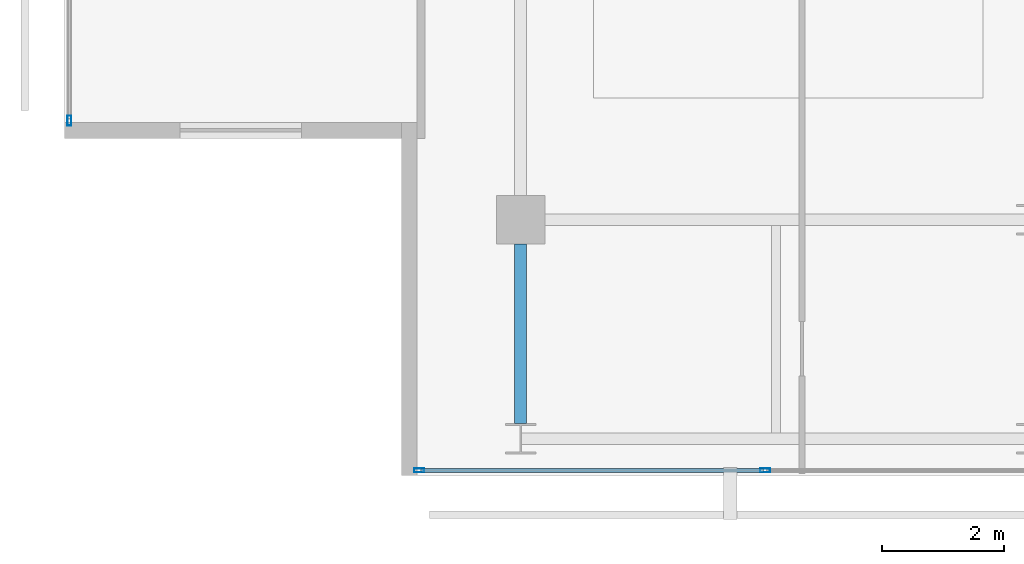
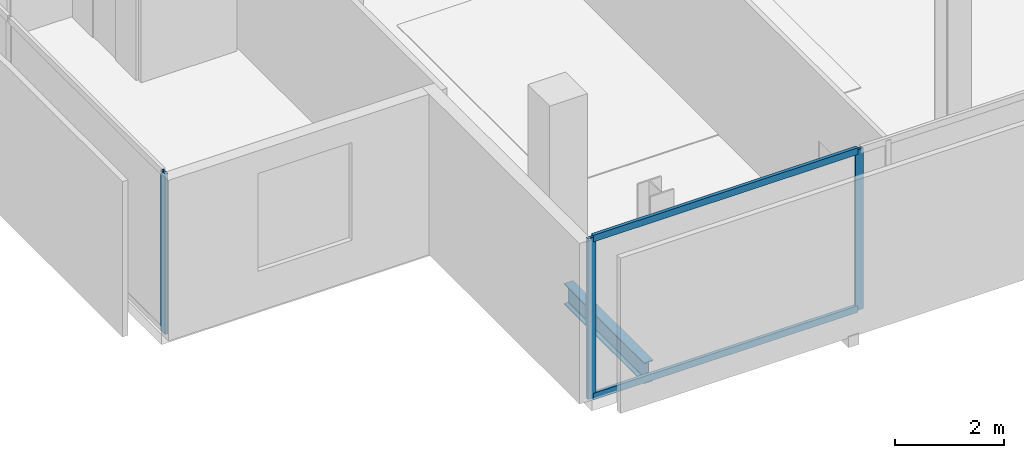
# One storey, part 2 of 23: 5 members, 1 beam, 2 elements without a shape of their own.
"""IFC4 building model written with IfcOpenShell, lengths in metres."""

from ifc_helpers import new_model, si_unit, direction, frame, origin, origin_2d, place, context, subcontext, project, spatial, hollow_rectangle, i_section, extrude, material, layer, layer_set, material_profile, profile_set, type_object, element, aggregate, save


model = new_model("IFC4")

# Units and contexts
model_context = context("Model", 3, precision=1e-05, world=origin(), true_north=direction((0.0, 1.0)))
body_context = subcontext(model_context, "Body", "Model", "MODEL_VIEW")
ifc_project = project(units=[si_unit("LENGTHUNIT", "METRE"), si_unit("AREAUNIT", "SQUARE_METRE"), si_unit("VOLUMEUNIT", "CUBIC_METRE"), si_unit("PLANEANGLEUNIT", "RADIAN"), si_unit("MASSUNIT", "GRAM", prefix="KILO")], contexts=[model_context])

# Site, building, storey
site_placement = place(None, origin())
site = spatial("IfcSite", under=ifc_project, at=site_placement, CompositionType="ELEMENT")
building_placement = place(site_placement, origin())
building = spatial("IfcBuilding", under=site, at=building_placement, Name="Maruvema Waterfront Hotel and Observation Tower", CompositionType="ELEMENT")
storey_placement = place(building_placement, frame((0.0, 0.0, 341.25)))
storey = spatial("IfcBuildingStorey", under=building, at=storey_placement, Name="L84", CompositionType="ELEMENT", Elevation=341.25)

# Curtain wall, members
ifc_material_1 = material(Name="Anodised bronze aluminium and solar-control low-E IGU", Category="aluminium")
ifc_layer = layer(ifc_material_1, 0.159912109375, Name="Zone 4 Sky Residence Inner Curtain Wall System CW-05")
ifc_layer_set = layer_set([ifc_layer], Name="Anodised bronze aluminium and solar-control low-E IGU")
curtain_wall_type = type_object("IfcCurtainWallType", Name="Zone 4 Sky Residence Inner Curtain Wall System CW-05", PredefinedType="USERDEFINED", material=ifc_layer_set)
curtain_wall_1_placement = place(storey_placement, origin())
curtain_wall_1 = element("IfcCurtainWall", 1, at=curtain_wall_1_placement, inside=storey, type_object=curtain_wall_type, Name="L84 Curtain Wall CW-L84-S", ObjectType="UNITISED CURTAIN WALL", PredefinedType="USERDEFINED")
ifc_material_2 = material(Name="Anodised architectural bronze aluminium", Category="aluminium")
ifc_material_profile_1 = material_profile(ifc_material_2, hollow_rectangle(XDim=0.070068359375, YDim=0.14990234375, WallThickness=0.00390625, at=origin_2d()), Name="ALU-T70x150")
ifc_profile_set_1 = profile_set([ifc_material_profile_1], Name="Anodised architectural bronze aluminium")
member_type_1 = type_object("IfcMemberType", Name="Curtain Wall Horizontal Transom ALU-T70x150", PredefinedType="USERDEFINED", material=ifc_profile_set_1)
member_1_placement = place(storey_placement, frame((23.56005859375, 13.8798828125, 0.030029296875), z_axis=(1.0, 0.0, 0.0), x_axis=(0.0, 1.0, 0.0)))
member_1 = element("IfcMember", 2, at=member_1_placement, type_object=member_type_1, Name="CW-05 transom 1.1", ObjectType="TRANSOM", PredefinedType="USERDEFINED", context=body_context, shape_type="SweptSolid", body=[
    extrude(hollow_rectangle(XDim=0.070068359375, YDim=0.14990234375, WallThickness=0.00390625, at=origin_2d()), origin(), (0.0, 0.0, 1.0), 5.6298828125),
])
member_2_placement = place(storey_placement, frame((23.56005859375, 13.8798828125, 3.580078125), z_axis=(1.0, 0.0, 0.0), x_axis=(0.0, 1.0, 0.0)))
member_2 = element("IfcMember", 3, at=member_2_placement, type_object=member_type_1, Name="CW-05 transom 1.2", ObjectType="TRANSOM", PredefinedType="USERDEFINED", context=body_context, shape_type="SweptSolid", body=[
    extrude(hollow_rectangle(XDim=0.070068359375, YDim=0.14990234375, WallThickness=0.00390625, at=origin_2d()), origin(), (0.0, 0.0, 1.0), 5.6298828125),
])
ifc_material_3 = material(Name="Anodised architectural bronze aluminium", Category="aluminium")
ifc_material_profile_2 = material_profile(ifc_material_3, hollow_rectangle(XDim=0.06494140625, YDim=0.1650390625, WallThickness=0.00390625, at=origin_2d()), Name="ALU-M65x165")
ifc_profile_set_2 = profile_set([ifc_material_profile_2], Name="Anodised architectural bronze aluminium")
member_type_2 = type_object("IfcMemberType", Name="Curtain Wall Primary Mullion ALU-M65x165", PredefinedType="MULLION", material=ifc_profile_set_2)
member_3_placement = place(storey_placement, frame((23.530029296875, 13.8798828125, 0.0), z_axis=(0.0, 0.0, 1.0), x_axis=(0.0, 1.0, 0.0)))
member_3 = element("IfcMember", 4, at=member_3_placement, type_object=member_type_2, Name="CW-05 mullion 1", PredefinedType="MULLION", context=body_context, shape_type="SweptSolid", body=[
    extrude(hollow_rectangle(XDim=0.06494140625, YDim=0.1650390625, WallThickness=0.00390625, at=origin_2d()), origin(), (0.0, 0.0, 1.0), 3.610107421875),
])
member_4_placement = place(storey_placement, frame((29.219970703125, 13.8798828125, 0.0), z_axis=(0.0, 0.0, 1.0), x_axis=(0.0, 1.0, 0.0)))
member_4 = element("IfcMember", 5, at=member_4_placement, type_object=member_type_2, Name="CW-05 mullion 2", PredefinedType="MULLION", context=body_context, shape_type="SweptSolid", body=[
    extrude(hollow_rectangle(XDim=0.06494140625, YDim=0.1650390625, WallThickness=0.00390625, at=origin_2d()), origin(), (0.0, 0.0, 1.0), 3.610107421875),
])
aggregate(curtain_wall_1, [member_3, member_4, member_1, member_2])

# Curtain wall, member
curtain_wall_2_placement = place(storey_placement, origin())
curtain_wall_2 = element("IfcCurtainWall", 6, at=curtain_wall_2_placement, inside=storey, type_object=curtain_wall_type, Name="L84 Curtain Wall CW-L84-W", ObjectType="UNITISED CURTAIN WALL", PredefinedType="USERDEFINED")
member_5_placement = place(storey_placement, frame((17.780029296875, 19.6298828125, 0.0), z_axis=(0.0, 0.0, 1.0), x_axis=(1.0, 0.0, 0.0)))
member_5 = element("IfcMember", 7, at=member_5_placement, type_object=member_type_2, Name="CW-05 mullion 6", PredefinedType="MULLION", context=body_context, shape_type="SweptSolid", body=[
    extrude(hollow_rectangle(XDim=0.06494140625, YDim=0.1650390625, WallThickness=0.00390625, at=origin_2d()), origin(), (0.0, 0.0, 1.0), 3.610107421875),
])
aggregate(curtain_wall_2, [member_5])

# Beam
ifc_material_4 = material(Name="Steel ASTM A572 Grade 50", Category="steel")
ifc_material_profile_3 = material_profile(ifc_material_4, i_section(OverallWidth=0.194091796875, OverallDepth=0.468994140625, WebThickness=0.0126953125, FlangeThickness=0.0205078125, FilletRadius=0.014892578125, at=origin_2d()), Name="W460x106.0")
ifc_profile_set_3 = profile_set([ifc_material_profile_3], Name="Steel ASTM A572 Grade 50")
beam_type = type_object("IfcBeamType", Name="Primary Floor Girder W460x106.0", PredefinedType="BEAM", material=ifc_profile_set_3)
beam_placement = place(storey_placement, frame((25.199951171875, 14.64990234375, -0.474609375), z_axis=(0.0, 1.0, 0.0), x_axis=(-1.0, 0.0, 0.0)))
element("IfcBeam", 8, at=beam_placement, inside=storey, type_object=beam_type, Name="L84 Floor Girder NS-03", PredefinedType="BEAM", context=body_context, shape_type="SweptSolid", body=[
    extrude(i_section(OverallWidth=0.194091796875, OverallDepth=0.468994140625, WebThickness=0.0126953125, FlangeThickness=0.0205078125, FilletRadius=0.014892578125, at=origin_2d()), origin(), (0.0, 0.0, 1.0), 2.9501953125),
])

save(model, "model.ifc")
